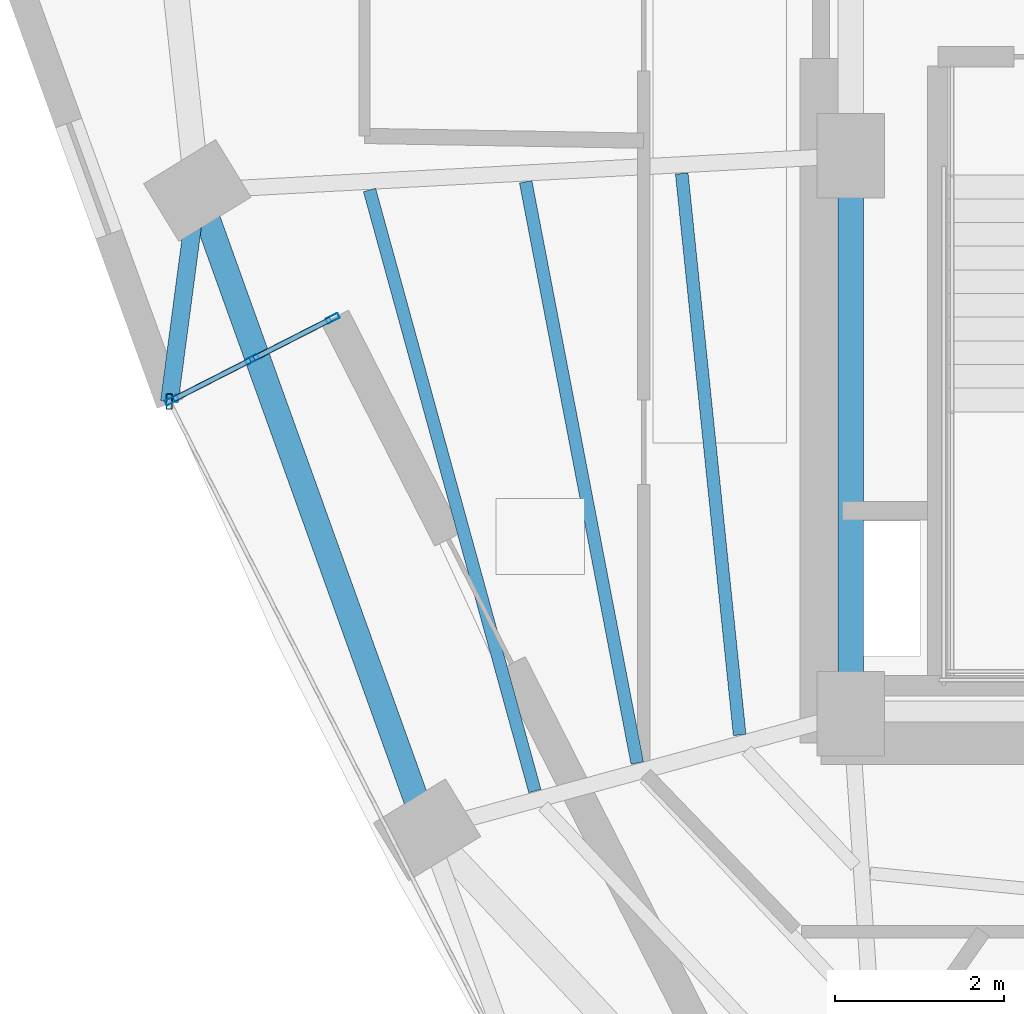
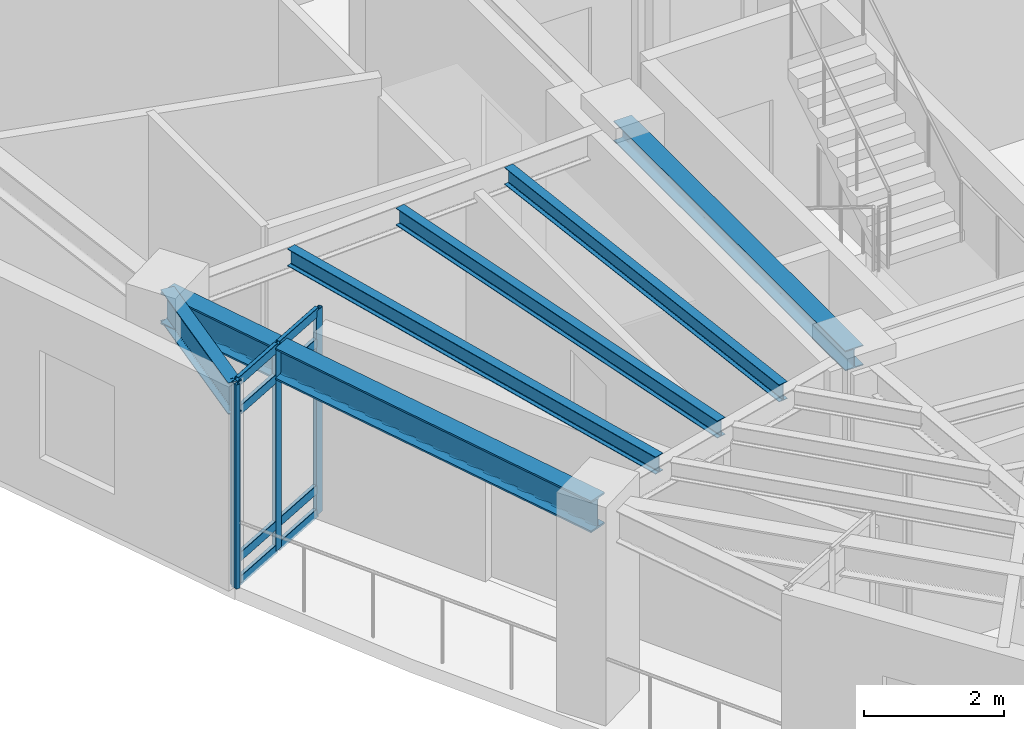
# One storey, part 4 of 12: 12 members, 6 beams, 1 element without a shape of its own.
"""IFC4 building model written with IfcOpenShell, lengths in metres."""

from ifc_helpers import new_model, si_unit, direction, frame, origin, origin_2d, place, context, subcontext, project, spatial, hollow_rectangle, i_section, extrude, material, layer, layer_set, material_profile, profile_set, type_object, element, aggregate, save


model = new_model("IFC4")

# Units and contexts
model_context = context("Model", 3, precision=1e-05, world=origin(), true_north=direction((0.0, 1.0)))
body_context = subcontext(model_context, "Body", "Model", "MODEL_VIEW")
ifc_project = project(units=[si_unit("LENGTHUNIT", "METRE"), si_unit("AREAUNIT", "SQUARE_METRE"), si_unit("VOLUMEUNIT", "CUBIC_METRE"), si_unit("PLANEANGLEUNIT", "RADIAN"), si_unit("MASSUNIT", "GRAM", prefix="KILO")], contexts=[model_context])

# Site, building, storey
site_placement = place(None, origin())
site = spatial("IfcSite", under=ifc_project, at=site_placement, CompositionType="ELEMENT")
building_placement = place(site_placement, origin())
building = spatial("IfcBuilding", under=site, at=building_placement, Name="Ndelora Gate Hotel", CompositionType="ELEMENT")
storey_placement = place(building_placement, frame((0.0, 0.0, 194.14990234375)))
storey = spatial("IfcBuildingStorey", under=building, at=storey_placement, Name="L48", CompositionType="ELEMENT", Elevation=194.14990234375)

# Beams
ifc_material_1 = material(Name="Steel S355", Category="steel")
ifc_material_profile_1 = material_profile(ifc_material_1, i_section(OverallWidth=0.300048828125, OverallDepth=0.35009765625, WebThickness=0.010009765625, FlangeThickness=0.017578125, FilletRadius=0.027099609375, at=origin_2d()), Name="HEA 360")
ifc_profile_set_1 = profile_set([ifc_material_profile_1], Name="Steel S355")
beam_type_1 = type_object("IfcBeamType", Name="BM-CORE-350", PredefinedType="BEAM", material=ifc_profile_set_1)
beam_1_placement = place(storey_placement, frame((-8.0, -6.60009765625, 3.375), z_axis=(0.0, 1.0, 0.0), x_axis=(-1.0, 0.0, 0.0)))
element("IfcBeam", 1, at=beam_1_placement, inside=storey, type_object=beam_type_1, Name="L48 Core Tie Girder CC1-CC8", PredefinedType="BEAM", context=body_context, shape_type="SweptSolid", body=[
    extrude(i_section(OverallWidth=0.300048828125, OverallDepth=0.35009765625, WebThickness=0.010009765625, FlangeThickness=0.017578125, FilletRadius=0.027099609375, at=origin_2d()), origin(), (0.0, 0.0, 1.0), 6.60009765625),
])
ifc_material_profile_2 = material_profile(ifc_material_1, i_section(OverallWidth=0.14990234375, OverallDepth=0.300048828125, WebThickness=0.007080078125, FlangeThickness=0.0107421875, FilletRadius=0.014892578125, at=origin_2d()), Name="IPE 300")
ifc_profile_set_2 = profile_set([ifc_material_profile_2], Name="Steel S355")
beam_type_2 = type_object("IfcBeamType", Name="BM-JST-300", PredefinedType="JOIST", material=ifc_profile_set_2)
beam_2_placement = place(storey_placement, frame((-9.9990234375, -0.21142578125, 3.400146484375), z_axis=(0.10260596827, -0.994722079415, 0.0), x_axis=(0.994722079415, 0.10260596827, 0.0)))
element("IfcBeam", 2, at=beam_2_placement, inside=storey, type_object=beam_type_2, Name="L48 Secondary Composite Floor Joist IN-2", PredefinedType="JOIST", context=body_context, shape_type="SweptSolid", body=[
    extrude(i_section(OverallWidth=0.14990234375, OverallDepth=0.300048828125, WebThickness=0.007080078125, FlangeThickness=0.0107421875, FilletRadius=0.014892578125, at=origin_2d()), origin(), (0.0, 0.0, 1.0), 6.676513671875),
])
beam_3_placement = place(storey_placement, frame((-11.84521484375, -0.30908203125, 3.400146484375), z_axis=(0.188470955684, -0.982078764083, 0.0), x_axis=(0.982078764083, 0.188470955684, 0.0)))
element("IfcBeam", 3, at=beam_3_placement, inside=storey, type_object=beam_type_2, Name="L48 Secondary Composite Floor Joist MID-2", PredefinedType="JOIST", context=body_context, shape_type="SweptSolid", body=[
    extrude(i_section(OverallWidth=0.14990234375, OverallDepth=0.300048828125, WebThickness=0.007080078125, FlangeThickness=0.0107421875, FilletRadius=0.014892578125, at=origin_2d()), origin(), (0.0, 0.0, 1.0), 7.000244140625),
])
beam_4_placement = place(storey_placement, frame((-13.6923828125, -0.406005859375, 3.400146484375), z_axis=(0.2652180483, -0.964188460238, 0.0), x_axis=(0.964188460238, 0.2652180483, 0.0)))
element("IfcBeam", 4, at=beam_4_placement, inside=storey, type_object=beam_type_2, Name="L48 Secondary Composite Floor Joist OUT-2", PredefinedType="JOIST", context=body_context, shape_type="SweptSolid", body=[
    extrude(i_section(OverallWidth=0.14990234375, OverallDepth=0.300048828125, WebThickness=0.007080078125, FlangeThickness=0.0107421875, FilletRadius=0.014892578125, at=origin_2d()), origin(), (0.0, 0.0, 1.0), 7.37353515625),
])
ifc_material_profile_3 = material_profile(ifc_material_1, i_section(OverallWidth=0.2099609375, OverallDepth=0.550048828125, WebThickness=0.010986328125, FlangeThickness=0.01708984375, FilletRadius=0.02392578125, at=origin_2d()), Name="IPE 550")
ifc_profile_set_3 = profile_set([ifc_material_profile_3], Name="Steel S355")
beam_type_3 = type_object("IfcBeamType", Name="BM-RAD-550", PredefinedType="BEAM", material=ifc_profile_set_3)
beam_5_placement = place(storey_placement, frame((-15.72998046875, -0.411865234375, 3.275146484375), z_axis=(-0.131084004825, -0.9913712643, 0.0), x_axis=(0.9913712643, -0.131084004825, 0.0)))
element("IfcBeam", 5, at=beam_5_placement, inside=storey, type_object=beam_type_3, Name="L48 Sky-Garden Loggia Column Bracket 1", PredefinedType="BEAM", context=body_context, shape_type="SweptSolid", body=[
    extrude(i_section(OverallWidth=0.2099609375, OverallDepth=0.550048828125, WebThickness=0.010986328125, FlangeThickness=0.01708984375, FilletRadius=0.02392578125, at=origin_2d()), origin(), (0.0, 0.0, 1.0), 2.51806640625),
])
ifc_material_profile_4 = material_profile(ifc_material_1, i_section(OverallWidth=0.300048828125, OverallDepth=0.550048828125, WebThickness=0.014892578125, FlangeThickness=0.029052734375, FilletRadius=0.027099609375, at=origin_2d()), Name="HEB 550")
ifc_profile_set_4 = profile_set([ifc_material_profile_4], Name="Steel S355")
beam_type_4 = type_object("IfcBeamType", Name="BM-RING-550", PredefinedType="SPANDREL", material=ifc_profile_set_4)
beam_6_placement = place(storey_placement, frame((-15.72998046875, -0.411865234375, 3.275146484375), z_axis=(0.338244972382, -0.941058095262, 0.0), x_axis=(0.941058095262, 0.338244972382, 0.0)))
element("IfcBeam", 6, at=beam_6_placement, inside=storey, type_object=beam_type_4, Name="L48 Perimeter Spandrel Girder 2", PredefinedType="SPANDREL", context=body_context, shape_type="SweptSolid", body=[
    extrude(i_section(OverallWidth=0.300048828125, OverallDepth=0.550048828125, WebThickness=0.014892578125, FlangeThickness=0.029052734375, FilletRadius=0.027099609375, at=origin_2d()), origin(), (0.0, 0.0, 1.0), 8.03564453125),
])

# Curtain wall, members
ifc_material_2 = material(Name="Bronze Anodised Unitised Aluminium and Low-E Glass", Category="aluminium")
ifc_layer = layer(ifc_material_2, 0.199951171875)
ifc_layer_set = layer_set([ifc_layer], Name="Bronze Anodised Unitised Aluminium and Low-E Glass")
curtain_wall_type = type_object("IfcCurtainWallType", Name="CW-SYS-3", PredefinedType="NOTDEFINED", material=ifc_layer_set)
curtain_wall_placement = place(storey_placement, origin())
curtain_wall = element("IfcCurtainWall", 7, at=curtain_wall_placement, inside=storey, type_object=curtain_wall_type, Name="L48 Sky-Garden Loggia Side Curtain Wall CW3-1", PredefinedType="NOTDEFINED")
ifc_material_3 = material(Name="Bronze Anodised Aluminium 6063-T6", Category="aluminium")
ifc_material_profile_5 = material_profile(ifc_material_3, hollow_rectangle(XDim=0.06494140625, YDim=0.159912109375, WallThickness=0.00390625, InnerFilletRadius=0.00390625, OuterFilletRadius=0.008056640625, at=origin_2d()), Name="ALU 160x65x4")
ifc_profile_set_5 = profile_set([ifc_material_profile_5], Name="Bronze Anodised Aluminium 6063-T6")
member_type_1 = type_object("IfcMemberType", Name="MB-CW-MUL150", PredefinedType="MULLION", material=ifc_profile_set_5)
member_1_placement = place(storey_placement, frame((-14.12890625, -1.924072265625, -0.00390625), z_axis=(0.0, 0.0, 1.0), x_axis=(0.454000680995, -0.891001336507, 0.0)))
member_1 = element("IfcMember", 8, at=member_1_placement, type_object=member_type_1, Name="CW3 mullion 1", PredefinedType="MULLION", context=body_context, shape_type="SweptSolid", body=[
    extrude(hollow_rectangle(XDim=0.06494140625, YDim=0.159912109375, WallThickness=0.00390625, InnerFilletRadius=0.00390625, OuterFilletRadius=0.008056640625, at=origin_2d()), origin(), (0.0, 0.0, 1.0), 3.55810546875),
])
member_2_placement = place(storey_placement, frame((-15.080078125, -2.40869140625, -0.00390625), z_axis=(0.0, 0.0, 1.0), x_axis=(0.454000680995, -0.891001336507, 0.0)))
member_2 = element("IfcMember", 9, at=member_2_placement, type_object=member_type_1, Name="CW3 mullion 2", PredefinedType="MULLION", context=body_context, shape_type="SweptSolid", body=[
    extrude(hollow_rectangle(XDim=0.06494140625, YDim=0.159912109375, WallThickness=0.00390625, InnerFilletRadius=0.00390625, OuterFilletRadius=0.008056640625, at=origin_2d()), origin(), (0.0, 0.0, 1.0), 3.55810546875),
])
member_3_placement = place(storey_placement, frame((-16.03125, -2.893310546875, -0.00390625), z_axis=(0.0, 0.0, 1.0), x_axis=(0.454000680995, -0.891001336507, 0.0)))
member_3 = element("IfcMember", 10, at=member_3_placement, type_object=member_type_1, Name="CW3 mullion 3", PredefinedType="MULLION", context=body_context, shape_type="SweptSolid", body=[
    extrude(hollow_rectangle(XDim=0.06494140625, YDim=0.159912109375, WallThickness=0.00390625, InnerFilletRadius=0.00390625, OuterFilletRadius=0.008056640625, at=origin_2d()), origin(), (0.0, 0.0, 1.0), 3.55810546875),
])
ifc_material_profile_6 = material_profile(ifc_material_3, hollow_rectangle(XDim=0.070068359375, YDim=0.179931640625, WallThickness=0.0048828125, InnerFilletRadius=0.0048828125, OuterFilletRadius=0.010009765625, at=origin_2d()), Name="ALU 180x70x5")
ifc_profile_set_6 = profile_set([ifc_material_profile_6], Name="Bronze Anodised Aluminium 6063-T6")
member_type_2 = type_object("IfcMemberType", Name="MB-CW-MUL180", PredefinedType="MULLION", material=ifc_profile_set_6)
member_4_placement = place(storey_placement, frame((-16.06005859375, -2.908203125, 0.0), z_axis=(0.0, 0.0, 1.0), x_axis=(1.0, 0.0, 0.0)))
member_4 = element("IfcMember", 11, at=member_4_placement, type_object=member_type_2, Name="L48 Sky-Garden Loggia Corner Mullion Post 1", PredefinedType="MULLION", context=body_context, shape_type="SweptSolid", body=[
    extrude(hollow_rectangle(XDim=0.070068359375, YDim=0.179931640625, WallThickness=0.0048828125, InnerFilletRadius=0.0048828125, OuterFilletRadius=0.010009765625, at=origin_2d()), origin(), (0.0, 0.0, 1.0), 3.550048828125),
])
ifc_material_profile_7 = material_profile(ifc_material_3, hollow_rectangle(XDim=0.06494140625, YDim=0.159912109375, WallThickness=0.00390625, InnerFilletRadius=0.00390625, OuterFilletRadius=0.008056640625, at=origin_2d()), Name="ALU 160x65x4")
ifc_profile_set_7 = profile_set([ifc_material_profile_7], Name="Bronze Anodised Aluminium 6063-T6")
member_type_3 = type_object("IfcMemberType", Name="MB-CW-TRN150", PredefinedType="USERDEFINED", material=ifc_profile_set_7)
member_5_placement = place(storey_placement, frame((-14.152587890625, -1.93603515625, 0.03271484375), z_axis=(-0.890934786756, -0.454131264886, 0.0), x_axis=(0.454131264886, -0.890934786756, 0.0)))
member_5 = element("IfcMember", 12, at=member_5_placement, type_object=member_type_3, Name="CW3 transom 1.1", ObjectType="TRANSOM", PredefinedType="USERDEFINED", context=body_context, shape_type="SweptSolid", body=[
    extrude(hollow_rectangle(XDim=0.06494140625, YDim=0.159912109375, WallThickness=0.00390625, InnerFilletRadius=0.00390625, OuterFilletRadius=0.008056640625, at=origin_2d()), origin(), (0.0, 0.0, 1.0), 1.014404296875),
])
member_6_placement = place(storey_placement, frame((-14.152587890625, -1.93603515625, 0.4501953125), z_axis=(-0.890934786756, -0.454131264886, 0.0), x_axis=(0.454131264886, -0.890934786756, 0.0)))
member_6 = element("IfcMember", 13, at=member_6_placement, type_object=member_type_3, Name="CW3 transom 1.2", ObjectType="TRANSOM", PredefinedType="USERDEFINED", context=body_context, shape_type="SweptSolid", body=[
    extrude(hollow_rectangle(XDim=0.06494140625, YDim=0.159912109375, WallThickness=0.00390625, InnerFilletRadius=0.00390625, OuterFilletRadius=0.008056640625, at=origin_2d()), origin(), (0.0, 0.0, 1.0), 1.014404296875),
])
member_7_placement = place(storey_placement, frame((-14.152587890625, -1.93603515625, 3.0), z_axis=(-0.890934786756, -0.454131264886, 0.0), x_axis=(0.454131264886, -0.890934786756, 0.0)))
member_7 = element("IfcMember", 14, at=member_7_placement, type_object=member_type_3, Name="CW3 transom 1.3", ObjectType="TRANSOM", PredefinedType="USERDEFINED", context=body_context, shape_type="SweptSolid", body=[
    extrude(hollow_rectangle(XDim=0.06494140625, YDim=0.159912109375, WallThickness=0.00390625, InnerFilletRadius=0.00390625, OuterFilletRadius=0.008056640625, at=origin_2d()), origin(), (0.0, 0.0, 1.0), 1.014404296875),
])
member_8_placement = place(storey_placement, frame((-14.152587890625, -1.93603515625, 3.517578125), z_axis=(-0.890934786756, -0.454131264886, 0.0), x_axis=(0.454131264886, -0.890934786756, 0.0)))
member_8 = element("IfcMember", 15, at=member_8_placement, type_object=member_type_3, Name="CW3 transom 1.4", ObjectType="TRANSOM", PredefinedType="USERDEFINED", context=body_context, shape_type="SweptSolid", body=[
    extrude(hollow_rectangle(XDim=0.06494140625, YDim=0.159912109375, WallThickness=0.00390625, InnerFilletRadius=0.00390625, OuterFilletRadius=0.008056640625, at=origin_2d()), origin(), (0.0, 0.0, 1.0), 1.014404296875),
])
member_9_placement = place(storey_placement, frame((-15.103515625, -2.420654296875, 0.03271484375), z_axis=(-0.890984404001, -0.454033910437, 0.0), x_axis=(0.454033910437, -0.890984404001, 0.0)))
member_9 = element("IfcMember", 16, at=member_9_placement, type_object=member_type_3, Name="CW3 transom 2.1", ObjectType="TRANSOM", PredefinedType="USERDEFINED", context=body_context, shape_type="SweptSolid", body=[
    extrude(hollow_rectangle(XDim=0.06494140625, YDim=0.159912109375, WallThickness=0.00390625, InnerFilletRadius=0.00390625, OuterFilletRadius=0.008056640625, at=origin_2d()), origin(), (0.0, 0.0, 1.0), 1.0146484375),
])
member_10_placement = place(storey_placement, frame((-15.103515625, -2.420654296875, 0.4501953125), z_axis=(-0.890984404001, -0.454033910437, 0.0), x_axis=(0.454033910437, -0.890984404001, 0.0)))
member_10 = element("IfcMember", 17, at=member_10_placement, type_object=member_type_3, Name="CW3 transom 2.2", ObjectType="TRANSOM", PredefinedType="USERDEFINED", context=body_context, shape_type="SweptSolid", body=[
    extrude(hollow_rectangle(XDim=0.06494140625, YDim=0.159912109375, WallThickness=0.00390625, InnerFilletRadius=0.00390625, OuterFilletRadius=0.008056640625, at=origin_2d()), origin(), (0.0, 0.0, 1.0), 1.0146484375),
])
member_11_placement = place(storey_placement, frame((-15.103515625, -2.420654296875, 3.0), z_axis=(-0.890984404001, -0.454033910437, 0.0), x_axis=(0.454033910437, -0.890984404001, 0.0)))
member_11 = element("IfcMember", 18, at=member_11_placement, type_object=member_type_3, Name="CW3 transom 2.3", ObjectType="TRANSOM", PredefinedType="USERDEFINED", context=body_context, shape_type="SweptSolid", body=[
    extrude(hollow_rectangle(XDim=0.06494140625, YDim=0.159912109375, WallThickness=0.00390625, InnerFilletRadius=0.00390625, OuterFilletRadius=0.008056640625, at=origin_2d()), origin(), (0.0, 0.0, 1.0), 1.0146484375),
])
member_12_placement = place(storey_placement, frame((-15.103515625, -2.420654296875, 3.517578125), z_axis=(-0.890984404001, -0.454033910437, 0.0), x_axis=(0.454033910437, -0.890984404001, 0.0)))
member_12 = element("IfcMember", 19, at=member_12_placement, type_object=member_type_3, Name="CW3 transom 2.4", ObjectType="TRANSOM", PredefinedType="USERDEFINED", context=body_context, shape_type="SweptSolid", body=[
    extrude(hollow_rectangle(XDim=0.06494140625, YDim=0.159912109375, WallThickness=0.00390625, InnerFilletRadius=0.00390625, OuterFilletRadius=0.008056640625, at=origin_2d()), origin(), (0.0, 0.0, 1.0), 1.0146484375),
])
aggregate(curtain_wall, [member_1, member_2, member_3, member_5, member_6, member_7, member_8, member_9, member_10, member_11, member_12, member_4])

save(model, "model.ifc")
